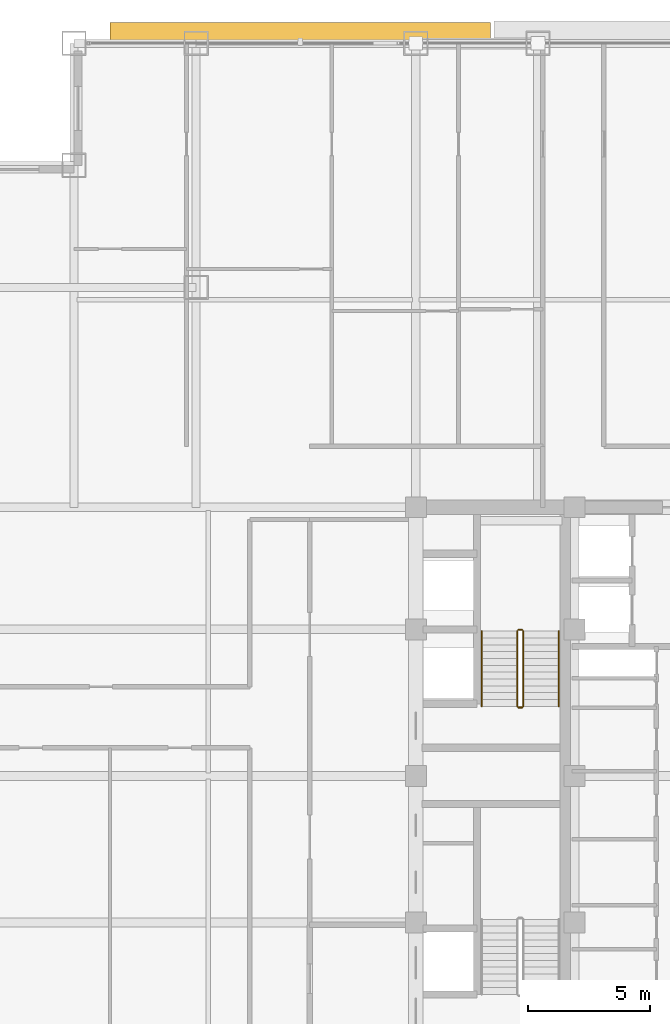
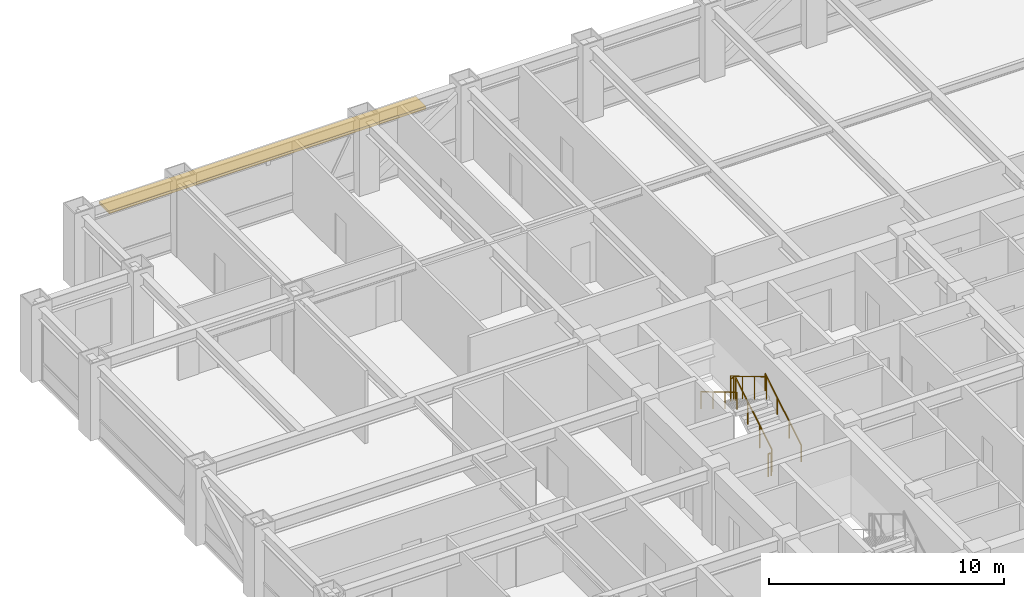
# One storey, part 28 of 29: 6 railings, 1 shading device.
"""IFC4 building model written with IfcOpenShell, lengths in metres."""

from ifc_helpers import new_model, si_unit, direction, frame, origin, origin_2d, place, context, subcontext, project, spatial, rectangle, circle, extrude, source, transform, mapped, material, layer, layer_set, type_object, element, save


model = new_model("IFC4")

# Units and contexts
model_context = context("Model", 3, precision=1e-05, world=origin(), true_north=direction((0.0, 1.0)))
body_context = subcontext(model_context, "Body", "Model", "MODEL_VIEW")
ifc_project = project(units=[si_unit("LENGTHUNIT", "METRE"), si_unit("AREAUNIT", "SQUARE_METRE"), si_unit("VOLUMEUNIT", "CUBIC_METRE"), si_unit("PLANEANGLEUNIT", "RADIAN"), si_unit("MASSUNIT", "GRAM", prefix="KILO")], contexts=[model_context])

# Site, building, storey
site_placement = place(None, origin())
site = spatial("IfcSite", under=ifc_project, at=site_placement, CompositionType="ELEMENT")
building_placement = place(site_placement, origin())
building = spatial("IfcBuilding", under=site, at=building_placement, Name="Khorayat Bourse Tower", CompositionType="ELEMENT")
storey_placement = place(building_placement, frame((0.0, 0.0, 239.10009765625)))
storey = spatial("IfcBuildingStorey", under=building, at=storey_placement, Name="L56", CompositionType="ELEMENT", Elevation=239.10009765625)

# Shading device
ifc_material_1 = material(Name="Precast concrete C45/55", Category="concrete")
ifc_layer = layer(ifc_material_1, 0.139892578125)
ifc_layer_set = layer_set([ifc_layer], Name="Precast concrete C45/55")
shading_device_type = type_object("IfcShadingDeviceType", Name="SHD-WAVE-TRAY-A", PredefinedType="USERDEFINED", material=ifc_layer_set)
shared_shape_1 = source(origin(), body_context, "Body", "SweptSolid", [
    extrude(rectangle(XDim=15.59326171875, YDim=0.875244140625, at=origin_2d()), origin(), (0.0, 0.0, 1.0), 0.139892578125),
])
shading_device_placement = place(storey_placement, frame((-15.7333984375, 30.41748046875, 3.02978515625), z_axis=(0.0, 0.0, 1.0), x_axis=(1.0, 0.0, 0.0)))
element("IfcShadingDevice", 1, at=shading_device_placement, inside=storey, type_object=shading_device_type, Name="L56 Sinusoidal Wave Sunshade Tray N-1", ObjectType="SUNSHADE", PredefinedType="USERDEFINED", context=body_context, shape_type="MappedRepresentation", body=[
    mapped(shared_shape_1, transform((0.0, 0.0, 0.0), scale=1.0)),
])

# Railings
ifc_material_2 = material(Name="Powder-coated steel balustrade", Category="steel")
railing_type_1 = type_object("IfcRailingType", Name="RLG-GUARD-1200", PredefinedType="GUARDRAIL", material=ifc_material_2)
shared_shape_2 = source(origin(), body_context, "Body", "SweptSolid", [
    extrude(circle(Radius=0.02392578125, at=origin_2d()), frame((0.0, 0.0, 1.17578125), z_axis=(-1.0, 0.0, 0.0), x_axis=(0.0, -1.0, 0.0)), (0.0, 0.0, 1.0), 0.150146484375),
    extrude(circle(Radius=0.02099609375, at=origin_2d()), origin(), (0.0, 0.0, 1.0), 1.15185546875),
    extrude(circle(Radius=0.02099609375, at=origin_2d()), frame((-0.150146484375, 0.0, 0.0)), (0.0, 0.0, 1.0), 1.15185546875),
])
for number, where, name in (
    (2, (-6.64990234375, 5.97998046875, 2.0), "L56 ST-2 stair guard 2"),
    (3, (-6.64990234375, 2.800048828125, 0.0), "L56 ST-2 stair guard 4"),
):
    element("IfcRailing", number, at=place(storey_placement, frame(where)), inside=storey, type_object=railing_type_1, Name=name, PredefinedType="GUARDRAIL", context=body_context, shape_type="MappedRepresentation", body=[
        mapped(shared_shape_2, transform((0.0, 0.0, 0.0), scale=1.0)),
    ])
shared_shape_3 = source(origin(), body_context, "Body", "SweptSolid", [
    extrude(circle(Radius=0.02392578125, at=origin_2d()), frame((0.0, 0.0, 1.17578125), z_axis=(0.0, 0.859260807169, 0.511537745687), x_axis=(-1.0, 0.0, 0.0)), (0.0, 0.0, 1.0), 3.584228515625),
    extrude(circle(Radius=0.02099609375, at=origin_2d()), origin(), (0.0, 0.0, 1.0), 1.15185546875),
    extrude(circle(Radius=0.02099609375, at=origin_2d()), frame((0.0, 1.026611328125, 0.611083984375)), (0.0, 0.0, 1.0), 1.15185546875),
    extrude(circle(Radius=0.02099609375, at=origin_2d()), frame((0.0, 2.05322265625, 1.222412109375)), (0.0, 0.0, 1.0), 1.15185546875),
    extrude(circle(Radius=0.02099609375, at=origin_2d()), frame((0.0, 3.079833984375, 1.83349609375)), (0.0, 0.0, 1.0), 1.15185546875),
])
railing_1_placement = place(storey_placement, frame((-6.60009765625, 2.85009765625, 0.16650390625)))
element("IfcRailing", 4, at=railing_1_placement, inside=storey, type_object=railing_type_1, Name="L56 ST-2 stair guard 1", PredefinedType="GUARDRAIL", context=body_context, shape_type="MappedRepresentation", body=[
    mapped(shared_shape_3, transform((0.0, 0.0, 0.0), scale=1.0)),
])
shared_shape_4 = source(origin(), body_context, "Body", "SweptSolid", [
    extrude(circle(Radius=0.02392578125, at=origin_2d()), frame((0.0, 0.0, 1.17578125), z_axis=(0.0, -0.859260807169, 0.511537745687), x_axis=(1.0, 0.0, 0.0)), (0.0, 0.0, 1.0), 3.584228515625),
    extrude(circle(Radius=0.02099609375, at=origin_2d()), origin(), (0.0, 0.0, 1.0), 1.15185546875),
    extrude(circle(Radius=0.02099609375, at=origin_2d()), frame((0.0, -1.026611328125, 0.611083984375)), (0.0, 0.0, 1.0), 1.15185546875),
    extrude(circle(Radius=0.02099609375, at=origin_2d()), frame((0.0, -2.05322265625, 1.222412109375)), (0.0, 0.0, 1.0), 1.15185546875),
    extrude(circle(Radius=0.02099609375, at=origin_2d()), frame((0.0, -3.079833984375, 1.83349609375)), (0.0, 0.0, 1.0), 1.15185546875),
])
railing_2_placement = place(storey_placement, frame((-6.85009765625, 5.929931640625, 2.16650390625)))
element("IfcRailing", 5, at=railing_2_placement, inside=storey, type_object=railing_type_1, Name="L56 ST-2 stair guard 3", PredefinedType="GUARDRAIL", context=body_context, shape_type="MappedRepresentation", body=[
    mapped(shared_shape_4, transform((0.0, 0.0, 0.0), scale=1.0)),
])
ifc_material_3 = material(Name="Brushed bronze stainless-steel handrail", Category="steel")
railing_type_2 = type_object("IfcRailingType", Name="RLG-HAND-900", PredefinedType="HANDRAIL", material=ifc_material_3)
shared_shape_5 = source(origin(), body_context, "Body", "SweptSolid", [
    extrude(circle(Radius=0.02392578125, at=origin_2d()), frame((0.0, 0.0, 0.8759765625), z_axis=(0.0, 0.859260807169, 0.511537745687), x_axis=(-1.0, 0.0, 0.0)), (0.0, 0.0, 1.0), 3.584228515625),
    extrude(circle(Radius=0.02099609375, at=origin_2d()), origin(), (0.0, 0.0, 1.0), 0.851806640625),
    extrude(circle(Radius=0.02099609375, at=origin_2d()), frame((0.0, 1.026611328125, 0.611083984375)), (0.0, 0.0, 1.0), 0.851806640625),
    extrude(circle(Radius=0.02099609375, at=origin_2d()), frame((0.0, 2.05322265625, 1.222412109375)), (0.0, 0.0, 1.0), 0.851806640625),
    extrude(circle(Radius=0.02099609375, at=origin_2d()), frame((0.0, 3.079833984375, 1.83349609375)), (0.0, 0.0, 1.0), 0.851806640625),
])
railing_3_placement = place(storey_placement, frame((-5.14990234375, 2.85009765625, 0.16650390625)))
element("IfcRailing", 6, at=railing_3_placement, inside=storey, type_object=railing_type_2, Name="L56 ST-2 stair handrail 1", PredefinedType="HANDRAIL", context=body_context, shape_type="MappedRepresentation", body=[
    mapped(shared_shape_5, transform((0.0, 0.0, 0.0), scale=1.0)),
])
shared_shape_6 = source(origin(), body_context, "Body", "SweptSolid", [
    extrude(circle(Radius=0.02392578125, at=origin_2d()), frame((0.0, 0.0, 0.8759765625), z_axis=(0.0, -0.859260807169, 0.511537745687), x_axis=(1.0, 0.0, 0.0)), (0.0, 0.0, 1.0), 3.584228515625),
    extrude(circle(Radius=0.02099609375, at=origin_2d()), origin(), (0.0, 0.0, 1.0), 0.851806640625),
    extrude(circle(Radius=0.02099609375, at=origin_2d()), frame((0.0, -1.026611328125, 0.611083984375)), (0.0, 0.0, 1.0), 0.851806640625),
    extrude(circle(Radius=0.02099609375, at=origin_2d()), frame((0.0, -2.05322265625, 1.222412109375)), (0.0, 0.0, 1.0), 0.851806640625),
    extrude(circle(Radius=0.02099609375, at=origin_2d()), frame((0.0, -3.079833984375, 1.83349609375)), (0.0, 0.0, 1.0), 0.851806640625),
])
railing_4_placement = place(storey_placement, frame((-8.300048828125, 5.929931640625, 2.16650390625)))
element("IfcRailing", 7, at=railing_4_placement, inside=storey, type_object=railing_type_2, Name="L56 ST-2 stair handrail 2", PredefinedType="HANDRAIL", context=body_context, shape_type="MappedRepresentation", body=[
    mapped(shared_shape_6, transform((0.0, 0.0, 0.0), scale=1.0)),
])

save(model, "model.ifc")
